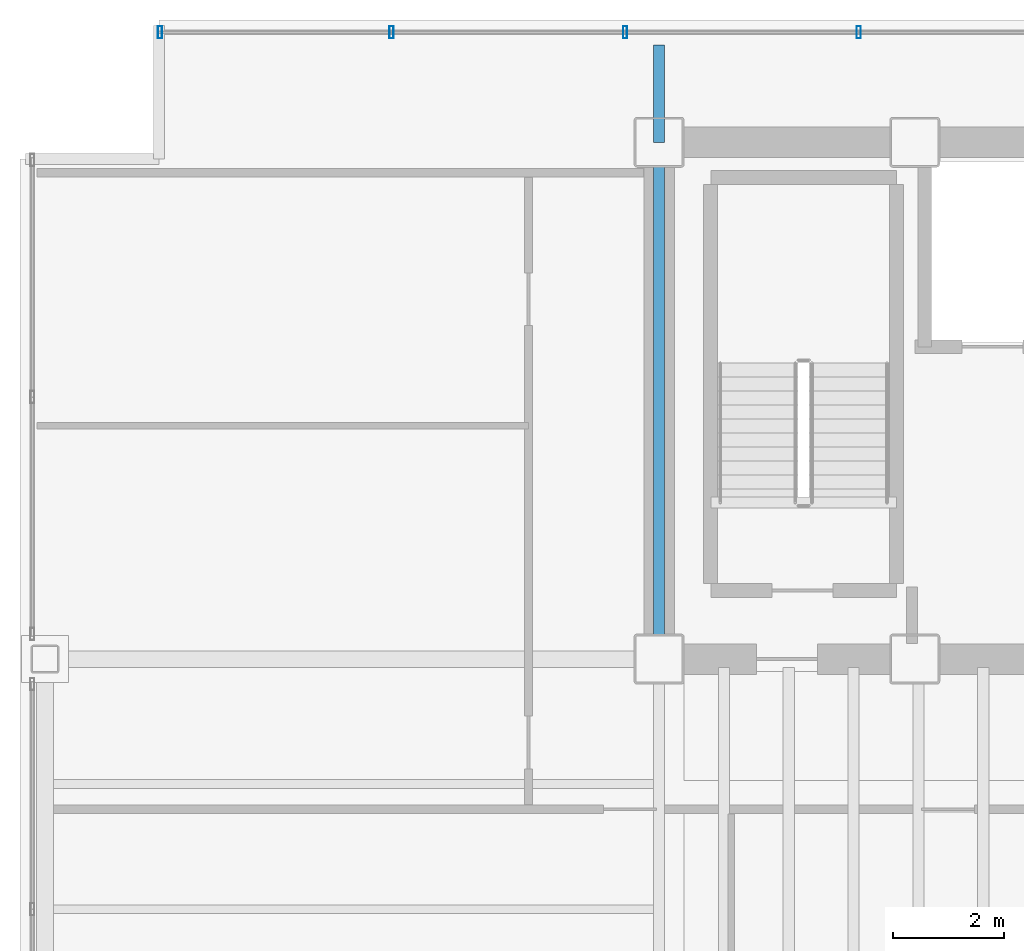
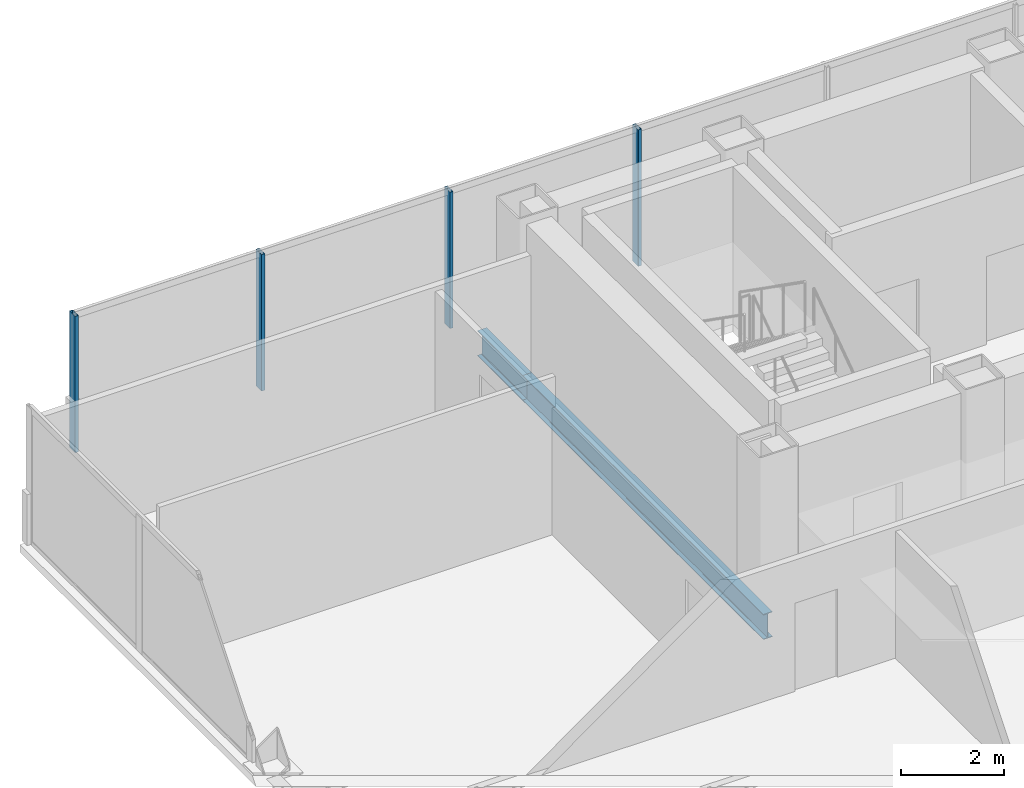
# One storey, part 8 of 20: 4 members, 2 beams, 1 element without a shape of its own.
"""IFC4 building model written with IfcOpenShell, lengths in metres."""

from ifc_helpers import new_model, si_unit, direction, frame, origin, origin_2d, place, context, subcontext, project, spatial, hollow_rectangle, i_section, extrude, material, material_profile, profile_set, type_object, element, aggregate, save


model = new_model("IFC4")

# Units and contexts
model_context = context("Model", 3, precision=1e-05, world=origin(), true_north=direction((0.0, 1.0)))
body_context = subcontext(model_context, "Body", "Model", "MODEL_VIEW")
ifc_project = project(units=[si_unit("LENGTHUNIT", "METRE"), si_unit("AREAUNIT", "SQUARE_METRE"), si_unit("VOLUMEUNIT", "CUBIC_METRE"), si_unit("PLANEANGLEUNIT", "RADIAN"), si_unit("MASSUNIT", "GRAM", prefix="KILO")], contexts=[model_context])

# Site, building, storey
site_placement = place(None, origin())
site = spatial("IfcSite", under=ifc_project, at=site_placement, CompositionType="ELEMENT")
building_placement = place(site_placement, origin())
building = spatial("IfcBuilding", under=site, at=building_placement, Name="Noeulbin Bourse Tower", CompositionType="ELEMENT")
storey_placement = place(building_placement, frame((0.0, 0.0, 122.699951171875)))
storey = spatial("IfcBuildingStorey", under=building, at=storey_placement, Name="L30", CompositionType="ELEMENT", Elevation=122.699951171875)

# Beams
ifc_material_1 = material(Name="Steel S355", Category="steel")
ifc_material_profile_1 = material_profile(ifc_material_1, i_section(OverallWidth=0.199951171875, OverallDepth=0.60009765625, WebThickness=0.010986328125, FlangeThickness=0.01708984375, FilletRadius=0.02197265625, at=origin_2d()), Name="H-600x200x11x17", Category="LoadBearing")
ifc_profile_set_1 = profile_set([ifc_material_profile_1], Name="Steel S355")
beam_type = type_object("IfcBeamType", Name="BM-GRD-600", PredefinedType="USERDEFINED", material=ifc_profile_set_1)
beam_1_placement = place(storey_placement, frame((13.5, 29.0, -0.47998046875), z_axis=(0.0, 1.0, 0.0), x_axis=(-1.0, 0.0, 0.0)))
element("IfcBeam", 1, at=beam_1_placement, inside=storey, type_object=beam_type, Name="Tower Primary Girder NS L30-1.3", ObjectType="GIRDER", PredefinedType="USERDEFINED", context=body_context, shape_type="SweptSolid", body=[
    extrude(i_section(OverallWidth=0.199951171875, OverallDepth=0.60009765625, WebThickness=0.010986328125, FlangeThickness=0.01708984375, FilletRadius=0.02197265625, at=origin_2d()), origin(), (0.0, 0.0, 1.0), 9.300048828125),
])
beam_2_placement = place(storey_placement, frame((13.5, 38.300048828125, -0.47998046875), z_axis=(0.0, 1.0, 0.0), x_axis=(-1.0, 0.0, 0.0)))
element("IfcBeam", 2, at=beam_2_placement, inside=storey, type_object=beam_type, Name="Tower Primary Girder NS L30-1.4", ObjectType="GIRDER", PredefinedType="USERDEFINED", context=body_context, shape_type="SweptSolid", body=[
    extrude(i_section(OverallWidth=0.199951171875, OverallDepth=0.60009765625, WebThickness=0.010986328125, FlangeThickness=0.01708984375, FilletRadius=0.02197265625, at=origin_2d()), origin(), (0.0, 0.0, 1.0), 1.75),
])

# Curtain wall, members
ifc_material_2 = material(Name="Dark Tinted Triple Glazing", Category="glass")
curtain_wall_type = type_object("IfcCurtainWallType", Name="CW-SYS-3", PredefinedType="NOTDEFINED", material=ifc_material_2)
curtain_wall_placement = place(storey_placement, origin())
curtain_wall = element("IfcCurtainWall", 3, at=curtain_wall_placement, inside=storey, type_object=curtain_wall_type, Name="Unitised Curtain Wall CW-L30-N", PredefinedType="NOTDEFINED")
ifc_material_3 = material(Name="Anodised Aluminium 6063-T6", Category="aluminium")
ifc_material_profile_2 = material_profile(ifc_material_3, hollow_rectangle(XDim=0.074951171875, YDim=0.219970703125, WallThickness=0.0048828125, InnerFilletRadius=0.00244140625, OuterFilletRadius=0.0048828125, at=origin_2d()), Name="ALU-MULL-75x220x5", Category="LoadBearing")
ifc_profile_set_2 = profile_set([ifc_material_profile_2], Name="Anodised Aluminium 6063-T6")
member_type = type_object("IfcMemberType", Name="CW-SYS-3-MUL", PredefinedType="MULLION", material=ifc_profile_set_2)
member_1_placement = place(storey_placement, frame((4.52001953125, 40.280029296875, -0.02001953125), z_axis=(0.0, 0.0, 1.0), x_axis=(1.0, 0.0, 0.0)))
member_1 = element("IfcMember", 4, at=member_1_placement, type_object=member_type, Name="Curtain Wall Mullion CW-L30-N-M00", PredefinedType="MULLION", context=body_context, shape_type="SweptSolid", body=[
    extrude(hollow_rectangle(XDim=0.074951171875, YDim=0.219970703125, WallThickness=0.0048828125, InnerFilletRadius=0.00244140625, OuterFilletRadius=0.0048828125, at=origin_2d()), origin(), (0.0, 0.0, 1.0), 3.219970703125),
])
member_2_placement = place(storey_placement, frame((8.68408203125, 40.280029296875, -0.02001953125), z_axis=(0.0, 0.0, 1.0), x_axis=(1.0, 0.0, 0.0)))
member_2 = element("IfcMember", 5, at=member_2_placement, type_object=member_type, Name="Curtain Wall Mullion CW-L30-N-M01", PredefinedType="MULLION", context=body_context, shape_type="SweptSolid", body=[
    extrude(hollow_rectangle(XDim=0.074951171875, YDim=0.219970703125, WallThickness=0.0048828125, InnerFilletRadius=0.00244140625, OuterFilletRadius=0.0048828125, at=origin_2d()), origin(), (0.0, 0.0, 1.0), 3.219970703125),
])
member_3_placement = place(storey_placement, frame((12.887939453125, 40.280029296875, -0.02001953125), z_axis=(0.0, 0.0, 1.0), x_axis=(1.0, 0.0, 0.0)))
member_3 = element("IfcMember", 6, at=member_3_placement, type_object=member_type, Name="Curtain Wall Mullion CW-L30-N-M02", PredefinedType="MULLION", context=body_context, shape_type="SweptSolid", body=[
    extrude(hollow_rectangle(XDim=0.074951171875, YDim=0.219970703125, WallThickness=0.0048828125, InnerFilletRadius=0.00244140625, OuterFilletRadius=0.0048828125, at=origin_2d()), origin(), (0.0, 0.0, 1.0), 3.219970703125),
])
member_4_placement = place(storey_placement, frame((17.092041015625, 40.280029296875, -0.02001953125), z_axis=(0.0, 0.0, 1.0), x_axis=(1.0, 0.0, 0.0)))
member_4 = element("IfcMember", 7, at=member_4_placement, type_object=member_type, Name="Curtain Wall Mullion CW-L30-N-M03", PredefinedType="MULLION", context=body_context, shape_type="SweptSolid", body=[
    extrude(hollow_rectangle(XDim=0.074951171875, YDim=0.219970703125, WallThickness=0.0048828125, InnerFilletRadius=0.00244140625, OuterFilletRadius=0.0048828125, at=origin_2d()), origin(), (0.0, 0.0, 1.0), 3.219970703125),
])
aggregate(curtain_wall, [member_1, member_2, member_3, member_4])

save(model, "model.ifc")
